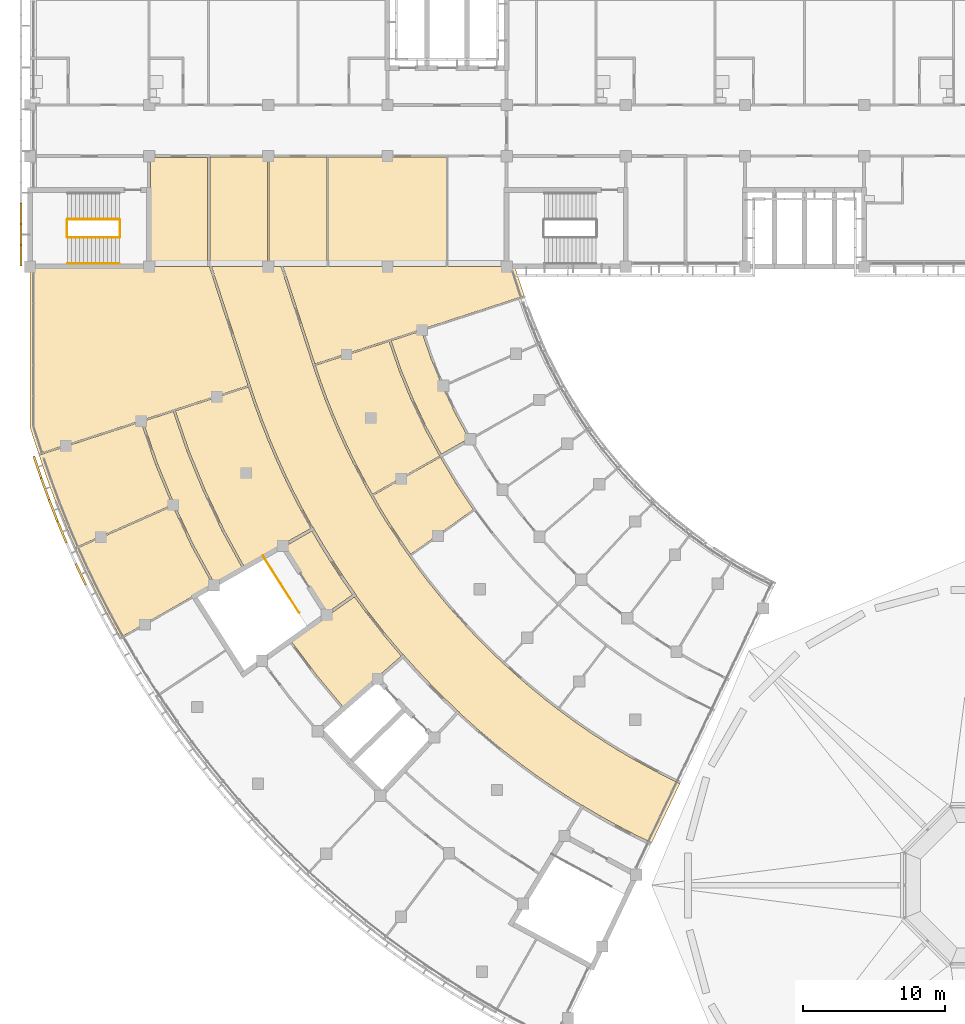
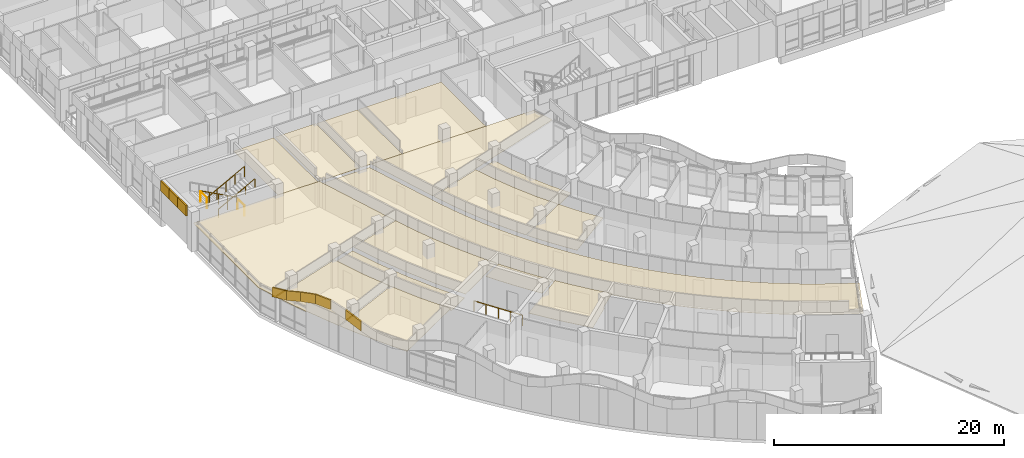
# One storey, part 122 of 137: 24 coverings, 6 railings.
"""IFC4 building model written with IfcOpenShell, lengths in metres."""

from ifc_helpers import new_model, si_unit, direction, frame, origin, origin_2d, place, context, subcontext, project, spatial, polyline, circle, outline, extrude, material, layer, layer_set, type_object, element, save


model = new_model("IFC4")

# Units and contexts
model_context = context("Model", 3, precision=1e-05, world=origin(), true_north=direction((0.0, 1.0)))
body_context = subcontext(model_context, "Body", "Model", "MODEL_VIEW")
ifc_project = project(units=[si_unit("LENGTHUNIT", "METRE"), si_unit("AREAUNIT", "SQUARE_METRE"), si_unit("VOLUMEUNIT", "CUBIC_METRE"), si_unit("PLANEANGLEUNIT", "RADIAN"), si_unit("MASSUNIT", "GRAM", prefix="KILO")], contexts=[model_context])

# Site, building, storey
site_placement = place(None, origin())
site = spatial("IfcSite", under=ifc_project, at=site_placement, CompositionType="ELEMENT")
building_placement = place(site_placement, origin())
building = spatial("IfcBuilding", under=site, at=building_placement, Name="Bougainvillea Quay General Hospital", CompositionType="ELEMENT")
storey_placement = place(building_placement, frame((0.0, 0.0, 16.800048828125)))
storey = spatial("IfcBuildingStorey", under=building, at=storey_placement, Name="L03", CompositionType="ELEMENT", Elevation=16.800048828125)

# Coverings
ifc_material_1 = material(Name="Powder-coated aluminium fascia, white", Category="aluminium")
ifc_layer_1 = layer(ifc_material_1, 0.14990234375)
ifc_layer_set_1 = layer_set([ifc_layer_1], Name="Powder-coated aluminium fascia, white")
covering_type_1 = type_object("IfcCoveringType", Name="Aluminium fascia band white 150x1100", PredefinedType="CLADDING", material=ifc_layer_set_1)
covering_1_placement = place(storey_placement, frame((41.449951171875, 122.076904296875, 3.64990234375), z_axis=(0.0, 0.0, 1.0), x_axis=(0.0, -1.0, 0.0)))
element("IfcCovering", 1, at=covering_1_placement, inside=storey, type_object=covering_type_1, Name="Fascia band white e0 44", PredefinedType="CLADDING", context=body_context, shape_type="SweptSolid", body=[
    extrude(outline(polyline([(0.0, 0.0), (1.47216796875, 0.0), (1.47216796875, -0.14990234375), (0.0, -0.14990234375), (0.0, 0.0)])), origin(), (0.0, 0.0, 1.0), 1.10009765625),
])
for number, where, z_axis, x_axis, name in (
    (2, (41.449951171875, 120.604736328125, 3.64990234375), (0.0, 0.0, 1.0), (0.0, -1.0, 0.0), "Fascia band white e0 45"),
    (3, (41.449951171875, 119.13232421875, 3.64990234375), (0.0, 0.0, 1.0), (0.0, -1.0, 0.0), "Fascia band white e0 46"),
):
    element("IfcCovering", number, at=place(storey_placement, frame(where, z_axis=z_axis, x_axis=x_axis)), inside=storey, type_object=covering_type_1, Name=name, PredefinedType="CLADDING", context=body_context, shape_type="SweptSolid", body=[
        extrude(outline(polyline([(0.0, 0.0), (1.472412109375, 0.0), (1.472412109375, -0.14990234375), (0.0, -0.14990234375), (0.0, 0.0)])), origin(), (0.0, 0.0, 1.0), 1.10009765625),
    ])
ifc_material_2 = material(Name="Powder-coated aluminium fascia, red", Category="aluminium")
ifc_layer_2 = layer(ifc_material_2, 0.14990234375)
ifc_layer_set_2 = layer_set([ifc_layer_2], Name="Powder-coated aluminium fascia, red")
covering_type_2 = type_object("IfcCoveringType", Name="Aluminium wave fascia ribbon red 150x1000", PredefinedType="CLADDING", material=ifc_layer_set_2)
covering_2_placement = place(storey_placement, frame((42.341796875, 104.27294921875, 2.932861328125), z_axis=(-0.072644733974, 0.214003280367, 0.974127988828), x_axis=(0.311728498706, -0.922903457955, 0.225996792875)))
element("IfcCovering", 4, at=covering_2_placement, inside=storey, type_object=covering_type_2, Name="Fascia ribbon red a01 1", PredefinedType="CLADDING", context=body_context, shape_type="SweptSolid", body=[
    extrude(outline(polyline([(0.0, 0.0), (1.6697663153408016, -1.0142711323601894e-16), (1.6714198479356175, -0.15001522946266718), (-0.0001310811737312012, -0.14993089033104634), (0.0, 0.0)])), origin(), (0.225996792875, 0.00033315488, 0.974127988828), 1.0),
])
covering_3_placement = place(storey_placement, frame((42.8623046875, 102.73193359375, 3.310791015625), z_axis=(-0.118206268574, 0.325067238579, 0.938274250138), x_axis=(0.320840536627, -0.881714196049, 0.345892218101)))
element("IfcCovering", 5, at=covering_3_placement, inside=storey, type_object=covering_type_2, Name="Fascia ribbon red a01 2", PredefinedType="CLADDING", context=body_context, shape_type="SweptSolid", body=[
    extrude(outline(polyline([(0.0, 0.0), (1.7372057030948447, 3.2742905609062234e-17), (1.7391310811799627, -0.1500344447580584), (-0.0019866225829543085, -0.1500127879137009), (0.0, 0.0)])), origin(), (0.345892218101, -7.0602202e-05, 0.938274250138), 1.0),
])
covering_4_placement = place(storey_placement, frame((43.419677734375, 101.2001953125, 3.912109375), z_axis=(-0.102618290433, 0.262858931869, 0.959361594189), x_axis=(0.348853851487, -0.893686555115, 0.282179608599)))
element("IfcCovering", 6, at=covering_4_placement, inside=storey, type_object=covering_type_2, Name="Fascia ribbon red a01 3", PredefinedType="CLADDING", context=body_context, shape_type="SweptSolid", body=[
    extrude(outline(polyline([(0.0, 0.0), (1.6992061219519445, 3.14554155292357e-17), (1.7009799431302117, -0.15005241299223354), (-0.0017639993559927815, -0.1500354471222907), (0.0, 0.0)])), origin(), (0.282179608599, 9.235688e-06, 0.959361594189), 1.0),
])
covering_5_placement = place(storey_placement, frame((44.012451171875, 99.681640625, 4.391845703125), z_axis=(-0.01954274793, 0.046894331713, 0.998708667559), x_axis=(0.384564750804, -0.921698950608, 0.050803512541)))
element("IfcCovering", 7, at=covering_5_placement, inside=storey, type_object=covering_type_2, Name="Fascia ribbon red a01 4", PredefinedType="CLADDING", context=body_context, shape_type="SweptSolid", body=[
    extrude(outline(polyline([(0.0, 0.0), (1.6322016851146839, -8.296179498587519e-17), (1.6338359040584374, -0.15014729191934437), (-0.0017605345015416496, -0.15005175060263123), (0.0, 0.0)])), origin(), (0.050803512541, -2.137673e-05, 0.998708667559), 1.0),
])
covering_6_placement = place(storey_placement, frame((45.302490234375, 96.687744140625, 4.113037109375), z_axis=(0.147255762475, -0.311340754946, 0.938819830813), x_axis=(0.401303503053, -0.848727385324, -0.344408658194)))
element("IfcCovering", 8, at=covering_6_placement, inside=storey, type_object=covering_type_2, Name="Fascia ribbon red a01 6", PredefinedType="CLADDING", context=body_context, shape_type="SweptSolid", body=[
    extrude(outline(polyline([(0.0, 0.0), (1.7362537840439949, -8.51098705401121e-18), (1.7381632955043655, -0.14990566449476286), (-0.0018765551843293103, -0.1498732739880127), (0.0, 0.0)])), origin(), (-0.344408658194, -3.7862656e-05, 0.938819830813), 1.0),
])

# Railings
ifc_material_3 = material(Name="Stainless steel 304 balustrade", Category="steel")
railing_type_1 = type_object("IfcRailingType", Name="Stair guard 1100", PredefinedType="GUARDRAIL", material=ifc_material_3)
railing_1_placement = place(storey_placement, frame((48.300048828125, 120.949951171875, 0.14990234375)))
element("IfcRailing", 9, at=railing_1_placement, inside=storey, type_object=railing_type_1, Name="L03 ST-B1 stair guard 1", PredefinedType="GUARDRAIL", context=body_context, shape_type="SweptSolid", body=[
    extrude(circle(Radius=0.02392578125, at=origin_2d()), frame((0.0, 0.0, 1.076171875), z_axis=(-0.881492274372, 0.0, 0.472198443689), x_axis=(0.0, -1.0, 0.0)), (0.0, 0.0, 1.0), 4.12939453125),
    extrude(circle(Radius=0.02099609375, at=origin_2d()), origin(), (0.0, 0.0, 1.0), 1.052001953125),
    extrude(circle(Radius=0.02099609375, at=origin_2d()), frame((-0.91015625, 0.0, 0.487548828125)), (0.0, 0.0, 1.0), 1.052001953125),
    extrude(circle(Radius=0.02099609375, at=origin_2d()), frame((-1.820068359375, 0.0, 0.97509765625)), (0.0, 0.0, 1.0), 1.052001953125),
    extrude(circle(Radius=0.02099609375, at=origin_2d()), frame((-2.72998046875, 0.0, 1.46240234375)), (0.0, 0.0, 1.0), 1.052001953125),
    extrude(circle(Radius=0.02099609375, at=origin_2d()), frame((-3.64013671875, 0.0, 1.949951171875)), (0.0, 0.0, 1.0), 1.052001953125),
])
railing_2_placement = place(storey_placement, frame((44.610107421875, 120.89990234375, 2.099853515625)))
element("IfcRailing", 10, at=railing_2_placement, inside=storey, type_object=railing_type_1, Name="L03 ST-B1 stair guard 2", PredefinedType="GUARDRAIL", context=body_context, shape_type="SweptSolid", body=[
    extrude(circle(Radius=0.02392578125, at=origin_2d()), frame((0.0, 0.0, 1.076171875), z_axis=(0.0, -1.0, 0.0), x_axis=(1.0, 0.0, 0.0)), (0.0, 0.0, 1.0), 1.199951171875),
    extrude(circle(Radius=0.02099609375, at=origin_2d()), origin(), (0.0, 0.0, 1.0), 1.052001953125),
    extrude(circle(Radius=0.02099609375, at=origin_2d()), frame((0.0, -1.199951171875, 0.0)), (0.0, 0.0, 1.0), 1.052001953125),
])
railing_3_placement = place(storey_placement, frame((44.659912109375, 119.64990234375, 2.25)))
element("IfcRailing", 11, at=railing_3_placement, inside=storey, type_object=railing_type_1, Name="L03 ST-B1 stair guard 3", PredefinedType="GUARDRAIL", context=body_context, shape_type="SweptSolid", body=[
    extrude(circle(Radius=0.02392578125, at=origin_2d()), frame((0.0, 0.0, 1.076171875), z_axis=(0.881492274372, 0.0, 0.472198443689), x_axis=(0.0, 1.0, 0.0)), (0.0, 0.0, 1.0), 4.12939453125),
    extrude(circle(Radius=0.02099609375, at=origin_2d()), origin(), (0.0, 0.0, 1.0), 1.052001953125),
    extrude(circle(Radius=0.02099609375, at=origin_2d()), frame((0.91015625, 0.0, 0.487548828125)), (0.0, 0.0, 1.0), 1.052001953125),
    extrude(circle(Radius=0.02099609375, at=origin_2d()), frame((1.820068359375, 0.0, 0.97509765625)), (0.0, 0.0, 1.0), 1.052001953125),
    extrude(circle(Radius=0.02099609375, at=origin_2d()), frame((2.72998046875, 0.0, 1.46240234375)), (0.0, 0.0, 1.0), 1.052001953125),
    extrude(circle(Radius=0.02099609375, at=origin_2d()), frame((3.64013671875, 0.0, 1.949951171875)), (0.0, 0.0, 1.0), 1.052001953125),
])
railing_4_placement = place(storey_placement, frame((48.35009765625, 120.89990234375, 0.0)))
element("IfcRailing", 12, at=railing_4_placement, inside=storey, type_object=railing_type_1, Name="L03 ST-B1 stair guard 4", PredefinedType="GUARDRAIL", context=body_context, shape_type="SweptSolid", body=[
    extrude(circle(Radius=0.02392578125, at=origin_2d()), frame((0.0, 0.0, 1.076171875), z_axis=(0.0, -1.0, 0.0), x_axis=(1.0, 0.0, 0.0)), (0.0, 0.0, 1.0), 1.199951171875),
    extrude(circle(Radius=0.02099609375, at=origin_2d()), origin(), (0.0, 0.0, 1.0), 1.052001953125),
    extrude(circle(Radius=0.02099609375, at=origin_2d()), frame((0.0, -1.199951171875, 0.0)), (0.0, 0.0, 1.0), 1.052001953125),
])
railing_5_placement = place(storey_placement, frame((58.41552734375, 97.235595703125, 0.0)))
element("IfcRailing", 13, at=railing_5_placement, inside=storey, type_object=railing_type_1, Name="L03 ST-W2 top well guard 1", PredefinedType="GUARDRAIL", context=body_context, shape_type="SweptSolid", body=[
    extrude(circle(Radius=0.02392578125, at=origin_2d()), frame((0.0, 0.0, 1.076171875), z_axis=(0.53791788521, -0.84299724126, 0.0), x_axis=(0.84299724126, 0.53791788521, 0.0)), (0.0, 0.0, 1.0), 4.77197265625),
    extrude(circle(Radius=0.02099609375, at=origin_2d()), origin(), (0.0, 0.0, 1.0), 1.052001953125),
    extrude(circle(Radius=0.02099609375, at=origin_2d()), frame((0.6416015625, -1.005615234375, 0.0)), (0.0, 0.0, 1.0), 1.052001953125),
    extrude(circle(Radius=0.02099609375, at=origin_2d()), frame((1.283447265625, -2.01123046875, 0.0)), (0.0, 0.0, 1.0), 1.052001953125),
    extrude(circle(Radius=0.02099609375, at=origin_2d()), frame((1.92529296875, -3.01708984375, 0.0)), (0.0, 0.0, 1.0), 1.052001953125),
    extrude(circle(Radius=0.02099609375, at=origin_2d()), frame((2.56689453125, -4.022705078125, 0.0)), (0.0, 0.0, 1.0), 1.052001953125),
])
ifc_material_4 = material(Name="Stainless steel 304 handrail", Category="steel")
railing_type_2 = type_object("IfcRailingType", Name="Stair handrail 900", PredefinedType="HANDRAIL", material=ifc_material_4)
railing_6_placement = place(storey_placement, frame((44.659912109375, 117.824951171875, 2.25)))
element("IfcRailing", 14, at=railing_6_placement, inside=storey, type_object=railing_type_2, Name="L03 ST-B1 stair handrail 2", PredefinedType="HANDRAIL", context=body_context, shape_type="SweptSolid", body=[
    extrude(circle(Radius=0.02392578125, at=origin_2d()), frame((0.0, 0.0, 0.8759765625), z_axis=(0.881492274372, 0.0, 0.472198443689), x_axis=(0.0, 1.0, 0.0)), (0.0, 0.0, 1.0), 4.12939453125),
    extrude(circle(Radius=0.02099609375, at=origin_2d()), origin(), (0.0, 0.0, 1.0), 0.851806640625),
    extrude(circle(Radius=0.02099609375, at=origin_2d()), frame((0.91015625, 0.0, 0.487548828125)), (0.0, 0.0, 1.0), 0.851806640625),
    extrude(circle(Radius=0.02099609375, at=origin_2d()), frame((1.820068359375, 0.0, 0.97509765625)), (0.0, 0.0, 1.0), 0.851806640625),
    extrude(circle(Radius=0.02099609375, at=origin_2d()), frame((2.72998046875, 0.0, 1.46240234375)), (0.0, 0.0, 1.0), 0.851806640625),
    extrude(circle(Radius=0.02099609375, at=origin_2d()), frame((3.64013671875, 0.0, 1.949951171875)), (0.0, 0.0, 1.0), 0.851806640625),
])

# Coverings
ifc_material_5 = material(Name="Mineral fibre ceiling tile")
ifc_layer_3 = layer(ifc_material_5, 0.030029296875)
ifc_layer_set_3 = layer_set([ifc_layer_3], Name="Mineral fibre ceiling tile")
covering_type_3 = type_object("IfcCoveringType", Name="Suspended ceiling mineral fibre tile", PredefinedType="CEILING", material=ifc_layer_set_3)
covering_7_placement = place(storey_placement, frame((0.0, 0.0, 2.39990234375)))
element("IfcCovering", 15, at=covering_7_placement, inside=storey, type_object=covering_type_3, Name="Ceiling Outpatient Spine Corridor", PredefinedType="CEILING", context=body_context, shape_type="SweptSolid", body=[
    extrude(outline(polyline([(87.846923828125, 81.23193359375), (87.8134765625, 81.1650390625), (86.400390625, 81.87158203125), (86.399169921875, 81.869384765625), (86.334228515625, 81.904541015625), (86.268310546875, 81.9375), (86.26953125, 81.939697265625), (84.582763671875, 82.8564453125), (84.58154296875, 82.854248046875), (84.51806640625, 82.8916015625), (84.453369140625, 82.927001953125), (84.45458984375, 82.92919921875), (83.511962890625, 83.484375), (83.510986328125, 83.482666015625), (83.38427734375, 83.559326171875), (83.38525390625, 83.56103515625), (82.458251953125, 84.1396484375), (82.457275390625, 84.13818359375), (82.332763671875, 84.218017578125), (82.333740234375, 84.2197265625), (81.4208984375, 84.821044921875), (81.419677734375, 84.819580078125), (81.297119140625, 84.902587890625), (81.298095703125, 84.904296875), (80.401123046875, 85.52783203125), (80.39990234375, 85.526123046875), (80.34033203125, 85.570068359375), (80.279541015625, 85.6123046875), (80.28076171875, 85.614013671875), (79.280517578125, 86.35107421875), (79.279541015625, 86.349853515625), (79.1611328125, 86.439208984375), (79.162109375, 86.4404296875), (78.41455078125, 87.017333984375), (78.4130859375, 87.015380859375), (78.356201171875, 87.062255859375), (78.2978515625, 87.107421875), (78.29931640625, 87.109375), (77.0029296875, 88.17822265625), (77.0009765625, 88.176025390625), (76.9462890625, 88.22509765625), (76.889404296875, 88.271728515625), (76.89111328125, 88.27392578125), (75.42041015625, 89.585693359375), (75.4189453125, 89.583984375), (75.365234375, 89.634765625), (75.31005859375, 89.683837890625), (75.3115234375, 89.685546875), (74.6796875, 90.2841796875), (74.67822265625, 90.282958984375), (74.572021484375, 90.38623046875), (74.5732421875, 90.387451171875), (73.798095703125, 91.158203125), (73.796630859375, 91.156982421875), (73.69287109375, 91.2626953125), (73.6943359375, 91.263916015625), (72.93798828125, 92.0546875), (72.936279296875, 92.052978515625), (72.886962890625, 92.10791015625), (72.8359375, 92.161376953125), (72.837646484375, 92.162841796875), (71.7099609375, 93.416748046875), (71.7080078125, 93.415283203125), (71.660400390625, 93.4716796875), (71.611083984375, 93.526611328125), (71.61279296875, 93.528076171875), (70.906982421875, 94.36376953125), (70.905517578125, 94.362548828125), (70.811279296875, 94.476806640625), (70.812744140625, 94.47802734375), (70.12841796875, 95.330078125), (70.126953125, 95.328857421875), (70.03564453125, 95.445556640625), (70.037109375, 95.44677734375), (69.37353515625, 96.316650390625), (69.37158203125, 96.3154296875), (69.32861328125, 96.37548828125), (69.283935546875, 96.43408203125), (69.28564453125, 96.435546875), (68.27197265625, 97.856689453125), (68.269775390625, 97.85498046875), (68.229248046875, 97.91650390625), (68.186279296875, 97.9765625), (68.1884765625, 97.97802734375), (67.262451171875, 99.382080078125), (67.260498046875, 99.380859375), (67.2216796875, 99.443603515625), (67.18115234375, 99.50537109375), (67.18310546875, 99.506591796875), (66.609130859375, 100.43896484375), (66.60693359375, 100.437744140625), (66.570556640625, 100.501708984375), (66.53173828125, 100.564453125), (66.533935546875, 100.56591796875), (65.662841796875, 102.092041015625), (65.660400390625, 102.0908203125), (65.626220703125, 102.156005859375), (65.589599609375, 102.219970703125), (65.592041015625, 102.22119140625), (64.8154296875, 103.69970703125), (64.813232421875, 103.69873046875), (64.781005859375, 103.76513671875), (64.746826171875, 103.83056640625), (64.748779296875, 103.83154296875), (64.271484375, 104.8154296875), (64.269775390625, 104.814697265625), (64.206787109375, 104.94873046875), (64.20849609375, 104.949462890625), (63.756103515625, 105.9443359375), (63.75439453125, 105.943603515625), (63.694580078125, 106.0791015625), (63.6962890625, 106.080078125), (63.2685546875, 107.08544921875), (63.266845703125, 107.084716796875), (63.210693359375, 107.2216796875), (63.21240234375, 107.222412109375), (62.81005859375, 108.238525390625), (62.808349609375, 108.23779296875), (62.755615234375, 108.376220703125), (62.75732421875, 108.376708984375), (62.380859375, 109.403564453125), (62.379150390625, 109.40283203125), (62.329833984375, 109.54248046875), (62.33154296875, 109.543212890625), (61.98193359375, 110.57421875), (61.978515625, 110.582763671875), (61.97412109375, 110.58154296875), (61.957275390625, 110.647216796875), (61.933837890625, 110.716064453125), (61.93505859375, 110.716796875), (59.70556640625, 117.576904296875), (59.777099609375, 117.60009765625), (54.808837890625, 117.60009765625), (57.5341796875, 109.212646484375), (57.977783203125, 107.904052734375), (58.422119140625, 106.692626953125), (58.96044921875, 105.33056640625), (59.500732421875, 104.063232421875), (60.07275390625, 102.809814453125), (60.563232421875, 101.798583984375), (61.17333984375, 100.610107421875), (61.9296875, 99.231689453125), (61.94873046875, 99.242919921875), (61.950439453125, 99.242431640625), (61.99951171875, 99.156005859375), (62.695556640625, 97.967529296875), (63.42138671875, 96.7978515625), (64.176025390625, 95.64599609375), (64.9609375, 94.513427734375), (65.0185546875, 94.432373046875), (65.01806640625, 94.4306640625), (64.999755859375, 94.41796875), (65.7529296875, 93.38720703125), (67.063232421875, 91.71142578125), (68.292236328125, 90.256591796875), (68.308349609375, 90.271240234375), (68.310302734375, 90.271240234375), (68.375732421875, 90.196533203125), (69.297607421875, 89.1728515625), (70.24365234375, 88.172607421875), (71.216064453125, 87.196533203125), (72.212646484375, 86.245849609375), (72.285400390625, 86.177978515625), (72.285400390625, 86.17626953125), (72.270263671875, 86.160400390625), (73.55908203125, 85.000732421875), (75.324951171875, 83.530517578125), (76.678955078125, 82.485107421875), (77.75830078125, 81.6982421875), (78.85791015625, 80.938232421875), (79.799560546875, 80.318115234375), (80.88134765625, 79.640625), (80.892822265625, 79.659912109375), (80.89453125, 79.660400390625), (80.9794921875, 79.60888671875), (82.165771484375, 78.90771484375), (83.36865234375, 78.238037109375), (84.58837890625, 77.59814453125), (85.82275390625, 76.9892578125), (87.846923828125, 81.23193359375)])), origin(), (0.0, 0.0, 1.0), 0.030029296875),
])
covering_8_placement = place(storey_placement, frame((0.0, 0.0, 2.699951171875)))
element("IfcCovering", 16, at=covering_8_placement, inside=storey, type_object=covering_type_3, Name="Ceiling Refuge Room RR-B1-L03", PredefinedType="CEILING", context=body_context, shape_type="SweptSolid", body=[
    extrude(outline(polyline([(54.5, 117.60009765625), (54.5, 125.300048828125), (50.5, 125.300048828125), (50.5, 117.60009765625), (54.5, 117.60009765625)])), origin(), (0.0, 0.0, 1.0), 0.030029296875),
])
covering_9_placement = place(storey_placement, frame((0.0, 0.0, 2.699951171875)))
element("IfcCovering", 17, at=covering_9_placement, inside=storey, type_object=covering_type_3, Name="Ceiling Smoke-proof Vestibule ST-W2", PredefinedType="CEILING", context=body_context, shape_type="SweptSolid", body=[
    extrude(outline(polyline([(61.397216796875, 95.5068359375), (62.185791015625, 94.304931640625), (62.948486328125, 93.205078125), (64.740478515625, 94.480224609375), (64.06640625, 95.452880859375), (64.064208984375, 95.45166015625), (64.010009765625, 95.5341796875), (63.953857421875, 95.615234375), (63.9560546875, 95.61669921875), (63.306884765625, 96.607666015625), (63.3046875, 96.606201171875), (63.252685546875, 96.690185546875), (63.198486328125, 96.77294921875), (63.20068359375, 96.774169921875), (62.576416015625, 97.780517578125), (62.57421875, 97.779052734375), (62.5244140625, 97.8642578125), (62.472412109375, 97.9482421875), (62.474365234375, 97.94970703125), (61.876708984375, 98.97021484375), (59.96337890625, 97.883056640625), (60.6396484375, 96.728515625), (61.397216796875, 95.5068359375)])), origin(), (0.0, 0.0, 1.0), 0.030029296875),
])
covering_10_placement = place(storey_placement, frame((0.0, 0.0, 2.699951171875)))
element("IfcCovering", 18, at=covering_10_placement, inside=storey, type_object=covering_type_3, Name="Ceiling Treatment and Clean Utility Room 03B05", PredefinedType="CEILING", context=body_context, shape_type="SweptSolid", body=[
    extrude(outline(polyline([(54.72998046875, 117.60009765625), (54.80126953125, 117.623291015625), (54.808837890625, 117.60009765625), (58.75, 117.60009765625), (58.75, 125.324951171875), (54.699951171875, 125.324951171875), (54.699951171875, 117.60009765625), (54.72998046875, 117.60009765625)])), origin(), (0.0, 0.0, 1.0), 0.030029296875),
])
covering_11_placement = place(storey_placement, frame((0.0, 0.0, 2.699951171875)))
element("IfcCovering", 19, at=covering_11_placement, inside=storey, type_object=covering_type_3, Name="Ceiling Treatment and Clean Utility Room 03B06", PredefinedType="CEILING", context=body_context, shape_type="SweptSolid", body=[
    extrude(outline(polyline([(59.777099609375, 117.60009765625), (59.848388671875, 117.623291015625), (59.85595703125, 117.60009765625), (62.949951171875, 117.60009765625), (62.949951171875, 125.324951171875), (58.85009765625, 125.324951171875), (58.85009765625, 117.60009765625), (59.777099609375, 117.60009765625)])), origin(), (0.0, 0.0, 1.0), 0.030029296875),
])
covering_12_placement = place(storey_placement, frame((0.0, 0.0, 2.699951171875)))
element("IfcCovering", 20, at=covering_12_placement, inside=storey, type_object=covering_type_3, Name="Ceiling Doctors' Office 03B07", PredefinedType="CEILING", context=body_context, shape_type="SweptSolid", body=[
    extrude(outline(polyline([(71.35009765625, 117.60009765625), (71.35009765625, 125.324951171875), (63.050048828125, 125.324951171875), (63.050048828125, 117.60009765625), (71.35009765625, 117.60009765625)])), origin(), (0.0, 0.0, 1.0), 0.030029296875),
])
covering_13_placement = place(storey_placement, frame((0.0, 0.0, 2.699951171875)))
element("IfcCovering", 21, at=covering_13_placement, inside=storey, type_object=covering_type_3, Name="Ceiling Eye Imaging Waiting Hall 03W101", PredefinedType="CEILING", context=body_context, shape_type="SweptSolid", body=[
    extrude(outline(polyline([(66.4970703125, 88.548095703125), (66.43115234375, 88.623291015625), (68.18017578125, 90.156982421875), (66.994384765625, 91.560546875), (66.9921875, 91.558837890625), (66.94677734375, 91.61669921875), (66.8994140625, 91.6728515625), (66.9013671875, 91.6748046875), (65.6787109375, 93.238525390625), (65.6767578125, 93.2373046875), (65.633056640625, 93.296875), (65.587646484375, 93.35498046875), (65.589599609375, 93.3564453125), (64.876953125, 94.331787109375), (63.0625, 93.040771484375), (63.063232421875, 93.039794921875), (62.900390625, 92.925537109375), (62.89892578125, 92.92578125), (62.87109375, 92.9658203125), (60.408203125, 91.21240234375), (62.201904296875, 88.821533203125), (64.1474609375, 86.487548828125), (66.4970703125, 88.548095703125)])), origin(), (0.0, 0.0, 1.0), 0.030029296875),
])
covering_14_placement = place(storey_placement, frame((0.0, 0.0, 2.699951171875)))
element("IfcCovering", 22, at=covering_14_placement, inside=storey, type_object=covering_type_3, Name="Ceiling Low Vision Clinic", PredefinedType="CEILING", context=body_context, shape_type="SweptSolid", body=[
    extrude(outline(polyline([(42.610595703125, 104.41650390625), (57.375732421875, 109.213134765625), (54.65869140625, 117.576904296875), (54.72998046875, 117.60009765625), (42.0, 117.60009765625), (42.0, 106.2958984375), (42.610595703125, 104.41650390625)])), origin(), (0.0, 0.0, 1.0), 0.030029296875),
])
covering_15_placement = place(storey_placement, frame((0.0, 0.0, 2.39990234375)))
element("IfcCovering", 23, at=covering_15_placement, inside=storey, type_object=covering_type_3, Name="Ceiling Clinic Corridor 03W2", PredefinedType="CEILING", context=body_context, shape_type="SweptSolid", body=[
    extrude(outline(polyline([(55.541015625, 98.986083984375), (55.506103515625, 99.0498046875), (55.510009765625, 99.052001953125), (54.271728515625, 101.675537109375), (54.26806640625, 101.674072265625), (54.240478515625, 101.74169921875), (54.209228515625, 101.807861328125), (54.21240234375, 101.809326171875), (53.108642578125, 104.4921875), (53.1044921875, 104.49072265625), (53.080810546875, 104.5595703125), (53.05322265625, 104.626708984375), (53.05712890625, 104.62841796875), (52.10791015625, 107.392578125), (49.969482421875, 106.697998046875), (50.980224609375, 103.75537109375), (52.1826171875, 100.833251953125), (53.53076171875, 97.97509765625), (55.023193359375, 95.245849609375), (56.978759765625, 96.35791015625), (55.576171875, 98.922119140625), (55.572265625, 98.920166015625), (55.541015625, 98.986083984375)])), origin(), (0.0, 0.0, 1.0), 0.030029296875),
])
covering_16_placement = place(storey_placement, frame((0.0, 0.0, 2.699951171875)))
element("IfcCovering", 24, at=covering_16_placement, inside=storey, type_object=covering_type_3, Name="Ceiling Low Vision Waiting Hall 03W201", PredefinedType="CEILING", context=body_context, shape_type="SweptSolid", body=[
    extrude(outline(polyline([(61.005126953125, 100.604736328125), (61.0068359375, 100.605712890625), (60.462646484375, 101.66552734375), (60.461181640625, 101.664794921875), (60.39501953125, 101.79736328125), (60.396484375, 101.79833984375), (59.969482421875, 102.679443359375), (59.968017578125, 102.6787109375), (59.90478515625, 102.812744140625), (59.90625, 102.8134765625), (59.39404296875, 103.935302734375), (59.392333984375, 103.9345703125), (59.33251953125, 104.070068359375), (59.334228515625, 104.07080078125), (58.8505859375, 105.205322265625), (58.848876953125, 105.20458984375), (58.79248046875, 105.341552734375), (58.79443359375, 105.34228515625), (58.30908203125, 106.5703125), (58.307373046875, 106.56982421875), (58.254638671875, 106.708251953125), (58.25634765625, 106.708740234375), (57.86181640625, 107.784423828125), (57.860107421875, 107.783935546875), (57.810791015625, 107.923583984375), (57.8125, 107.92431640625), (57.4072265625, 109.1181640625), (52.25048828125, 107.43896484375), (53.22119140625, 104.612548828125), (54.377685546875, 101.80224609375), (55.6748046875, 99.053955078125), (57.109130859375, 96.431884765625), (59.7138671875, 97.913818359375), (59.689208984375, 97.955810546875), (59.689697265625, 97.95751953125), (59.86181640625, 98.056884765625), (59.8623046875, 98.0556640625), (61.799560546875, 99.15673828125), (61.076416015625, 100.474853515625), (61.074462890625, 100.47412109375), (61.040771484375, 100.539794921875), (61.005126953125, 100.604736328125)])), origin(), (0.0, 0.0, 1.0), 0.030029296875),
])
covering_17_placement = place(storey_placement, frame((0.0, 0.0, 2.699951171875)))
element("IfcCovering", 25, at=covering_17_placement, inside=storey, type_object=covering_type_3, Name="Ceiling Eye Examination Room 03W211", PredefinedType="CEILING", context=body_context, shape_type="SweptSolid", body=[
    extrude(outline(polyline([(53.365966796875, 97.972900390625), (52.07666015625, 100.70654296875), (52.0732421875, 100.705078125), (52.064453125, 100.7265625), (45.2294921875, 97.709716796875), (45.88720703125, 96.26220703125), (46.650634765625, 94.6904296875), (47.4521484375, 93.137451171875), (48.375244140625, 91.464599609375), (54.892822265625, 95.171875), (53.43212890625, 97.843017578125), (53.42822265625, 97.841064453125), (53.397216796875, 97.906982421875), (53.3623046875, 97.970703125), (53.365966796875, 97.972900390625)])), origin(), (0.0, 0.0, 1.0), 0.030029296875),
])
covering_18_placement = place(storey_placement, frame((0.0, 0.0, 2.699951171875)))
element("IfcCovering", 26, at=covering_18_placement, inside=storey, type_object=covering_type_3, Name="Ceiling Laser Treatment Room 03W212", PredefinedType="CEILING", context=body_context, shape_type="SweptSolid", body=[
    extrude(outline(polyline([(43.791015625, 101.069091796875), (43.83740234375, 101.087646484375), (44.773193359375, 98.770263671875), (45.18896484375, 97.801025390625), (52.02392578125, 100.81787109375), (52.01416015625, 100.8388671875), (52.017578125, 100.84033203125), (50.867431640625, 103.635009765625), (50.863525390625, 103.6337890625), (50.83984375, 103.70263671875), (50.81201171875, 103.769775390625), (50.816162109375, 103.771484375), (49.826904296875, 106.651611328125), (42.64404296875, 104.316650390625), (43.18798828125, 102.7099609375), (43.791015625, 101.069091796875)])), origin(), (0.0, 0.0, 1.0), 0.030029296875),
])
covering_19_placement = place(storey_placement, frame((0.0, 0.0, 2.699951171875)))
element("IfcCovering", 27, at=covering_19_placement, inside=storey, type_object=covering_type_3, Name="Ceiling Counselling Consulting Room 03W102", PredefinedType="CEILING", context=body_context, shape_type="SweptSolid", body=[
    extrude(outline(polyline([(70.9287109375, 104.177001953125), (66.18505859375, 101.479248046875), (66.699462890625, 100.578369140625), (67.34814453125, 99.5244140625), (68.352783203125, 98.00146484375), (68.831298828125, 97.330810546875), (73.2607421875, 100.4833984375), (73.2470703125, 100.501953125), (73.25, 100.504150390625), (72.082275390625, 102.236572265625), (72.07861328125, 102.234375), (72.04150390625, 102.296875), (72.0009765625, 102.357177734375), (72.00439453125, 102.359619140625), (70.95556640625, 104.134765625), (70.9521484375, 104.13427734375), (70.9287109375, 104.177001953125)])), origin(), (0.0, 0.0, 1.0), 0.030029296875),
])
covering_20_placement = place(storey_placement, frame((0.0, 0.0, 2.699951171875)))
element("IfcCovering", 28, at=covering_20_placement, inside=storey, type_object=covering_type_3, Name="Ceiling Child Development Centre", PredefinedType="CEILING", context=body_context, shape_type="SweptSolid", body=[
    extrude(outline(polyline([(59.85595703125, 117.60009765625), (62.0771484375, 110.76416015625), (62.133544921875, 110.782958984375), (62.135009765625, 110.778076171875), (62.139892578125, 110.779296875), (62.14404296875, 110.76318359375), (76.8486328125, 115.54052734375), (76.179931640625, 117.60009765625), (59.85595703125, 117.60009765625)])), origin(), (0.0, 0.0, 1.0), 0.030029296875),
])
covering_21_placement = place(storey_placement, frame((0.0, 0.0, 2.39990234375)))
element("IfcCovering", 29, at=covering_21_placement, inside=storey, type_object=covering_type_3, Name="Ceiling Clinic Corridor 03W2", PredefinedType="CEILING", context=body_context, shape_type="SweptSolid", body=[
    extrude(outline(polyline([(70.269775390625, 111.12646484375), (70.2421875, 111.19384765625), (70.24609375, 111.195556640625), (69.599853515625, 113.076416015625), (67.460693359375, 112.3818359375), (68.168212890625, 110.322509765625), (69.015625, 108.26318359375), (69.9658203125, 106.2490234375), (70.9873046875, 104.3828125), (72.94189453125, 105.49462890625), (72.01123046875, 107.196044921875), (72.00732421875, 107.194091796875), (71.97607421875, 107.260009765625), (71.941162109375, 107.32373046875), (71.945068359375, 107.325927734375), (71.1044921875, 109.10546875), (71.10107421875, 109.10400390625), (71.0732421875, 109.171630859375), (71.042236328125, 109.23779296875), (71.045654296875, 109.239501953125), (70.297607421875, 111.05908203125), (70.29345703125, 111.0576171875), (70.269775390625, 111.12646484375)])), origin(), (0.0, 0.0, 1.0), 0.030029296875),
])
covering_22_placement = place(storey_placement, frame((0.0, 0.0, 2.699951171875)))
element("IfcCovering", 30, at=covering_22_placement, inside=storey, type_object=covering_type_3, Name="Ceiling Child Development Waiting Hall 03W201", PredefinedType="CEILING", context=body_context, shape_type="SweptSolid", body=[
    extrude(outline(polyline([(64.9150390625, 103.832763671875), (65.7578125, 102.22802734375), (66.135498046875, 101.566162109375), (70.87939453125, 104.263916015625), (70.8544921875, 104.305908203125), (70.856689453125, 104.30859375), (69.8671875, 106.116943359375), (69.86328125, 106.115234375), (69.83203125, 106.180908203125), (69.797119140625, 106.244873046875), (69.801025390625, 106.246826171875), (68.90966796875, 108.136474609375), (68.90625, 108.135009765625), (68.87841796875, 108.20263671875), (68.84716796875, 108.268798828125), (68.8505859375, 108.2705078125), (68.055419921875, 110.2021484375), (68.051513671875, 110.20068359375), (68.02783203125, 110.26953125), (68.0, 110.3369140625), (68.004150390625, 110.33837890625), (67.31787109375, 112.33544921875), (62.173095703125, 110.663818359375), (62.180908203125, 110.640625), (62.176025390625, 110.638916015625), (62.177490234375, 110.63427734375), (62.12451171875, 110.62060546875), (62.496826171875, 109.52294921875), (62.923095703125, 108.36083984375), (63.37841796875, 107.21044921875), (63.862548828125, 106.072265625), (64.375, 104.94580078125), (64.9150390625, 103.832763671875)])), origin(), (0.0, 0.0, 1.0), 0.030029296875),
])

save(model, "model.ifc")
